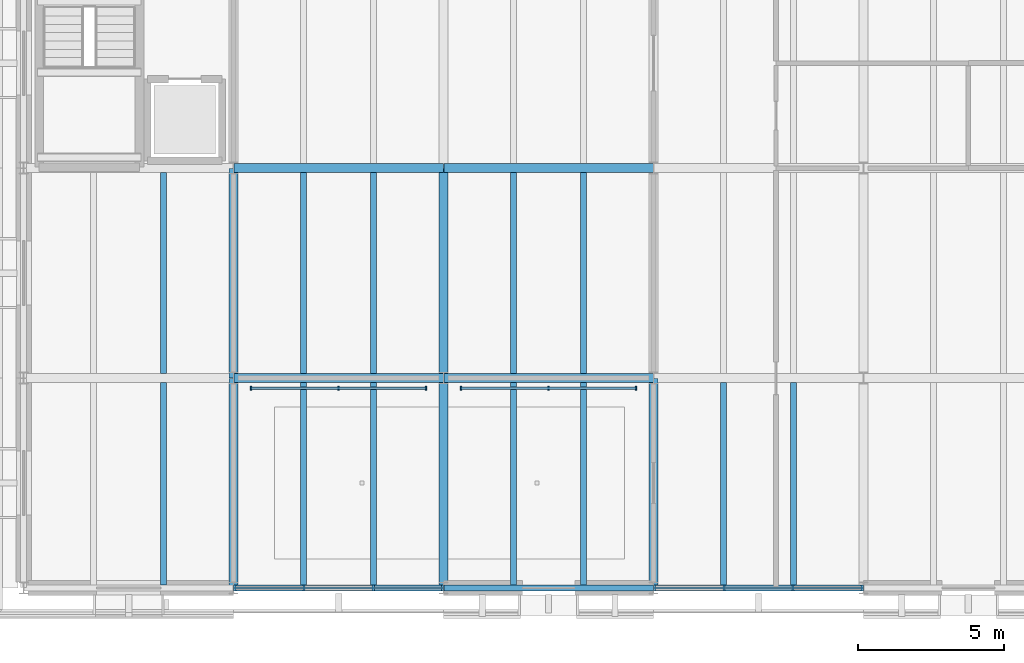
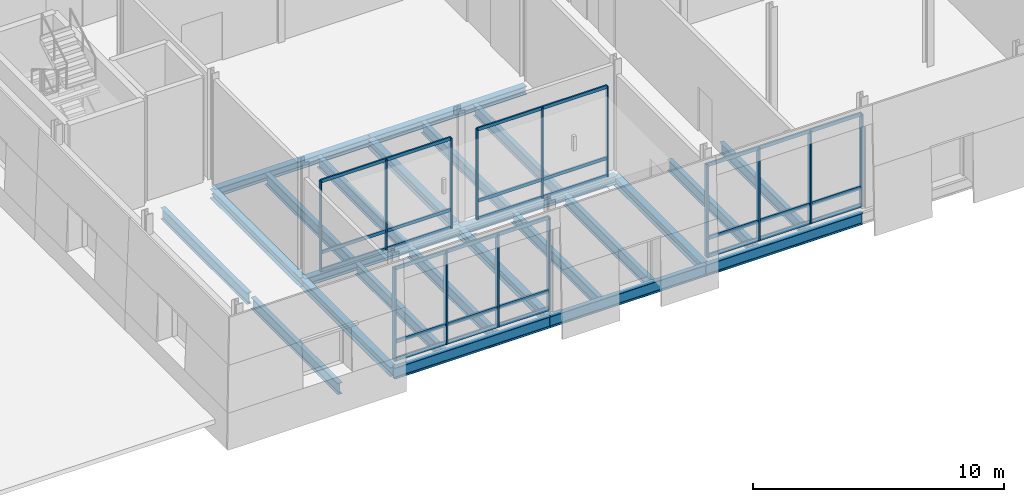
# One storey, part 38 of 120: 26 members, 24 beams, 4 elements without a shape of their own.
"""IFC4 building model written with IfcOpenShell, lengths in metres."""

from ifc_helpers import new_model, si_unit, direction, frame, origin, origin_2d, place, context, subcontext, project, spatial, rectangle, i_section, extrude, material, layer, layer_set, material_profile, profile_set, type_object, element, aggregate, save


model = new_model("IFC4")

# Units and contexts
model_context = context("Model", 3, precision=1e-05, world=origin(), true_north=direction((0.0, 1.0)))
body_context = subcontext(model_context, "Body", "Model", "MODEL_VIEW")
ifc_project = project(units=[si_unit("LENGTHUNIT", "METRE"), si_unit("AREAUNIT", "SQUARE_METRE"), si_unit("VOLUMEUNIT", "CUBIC_METRE"), si_unit("PLANEANGLEUNIT", "RADIAN"), si_unit("MASSUNIT", "GRAM", prefix="KILO")], contexts=[model_context])

# Site, building, storey
site_placement = place(None, origin())
site = spatial("IfcSite", under=ifc_project, at=site_placement, CompositionType="ELEMENT")
building_placement = place(site_placement, origin())
building = spatial("IfcBuilding", under=site, at=building_placement, Name="Narikvali Park Central Library", CompositionType="ELEMENT")
storey_placement = place(building_placement, origin())
storey = spatial("IfcBuildingStorey", under=building, at=storey_placement, Name="L00", CompositionType="ELEMENT", Elevation=0.0)

# Beams
ifc_material_1 = material(Name="Steel S355", Category="steel")
ifc_material_profile_1 = material_profile(ifc_material_1, i_section(OverallWidth=0.2099609375, OverallDepth=0.550048828125, WebThickness=0.010986328125, FlangeThickness=0.01708984375, FilletRadius=0.02392578125, at=origin_2d()), Name="IPE 550")
ifc_profile_set_1 = profile_set([ifc_material_profile_1], Name="Steel S355")
beam_type_1 = type_object("IfcBeamType", Name="Assembly Floor Joist IPE550", PredefinedType="JOIST", material=ifc_profile_set_1)
beam_1_placement = place(storey_placement, frame((127.199951171875, 0.10498046875, -0.594970703125), z_axis=(0.0, 1.0, 0.0), x_axis=(-1.0, 0.0, 0.0)))
element("IfcBeam", 1, at=beam_1_placement, inside=storey, type_object=beam_type_1, Name="V6 L00 Composite Joist 2", PredefinedType="JOIST", context=body_context, shape_type="SweptSolid", body=[
    extrude(i_section(OverallWidth=0.2099609375, OverallDepth=0.550048828125, WebThickness=0.010986328125, FlangeThickness=0.01708984375, FilletRadius=0.02392578125, at=origin_2d()), origin(), (0.0, 0.0, 1.0), 6.945068359375),
])
beam_2_placement = place(storey_placement, frame((127.199951171875, 7.35009765625, -0.594970703125), z_axis=(0.0, 1.0, 0.0), x_axis=(-1.0, 0.0, 0.0)))
element("IfcBeam", 2, at=beam_2_placement, inside=storey, type_object=beam_type_1, Name="V6 L00 Composite Joist 2", PredefinedType="JOIST", context=body_context, shape_type="SweptSolid", body=[
    extrude(i_section(OverallWidth=0.2099609375, OverallDepth=0.550048828125, WebThickness=0.010986328125, FlangeThickness=0.01708984375, FilletRadius=0.02392578125, at=origin_2d()), origin(), (0.0, 0.0, 1.0), 6.89990234375),
])
for number, where, z_axis, x_axis, name in (
    (3, (132.0, 0.10498046875, -0.594970703125), (0.0, 1.0, 0.0), (-1.0, 0.0, 0.0), "V6 L00 Composite Joist 1"),
    (4, (134.39990234375, 0.10498046875, -0.594970703125), (0.0, 1.0, 0.0), (-1.0, 0.0, 0.0), "V6 L00 Composite Joist 2"),
):
    element("IfcBeam", number, at=place(storey_placement, frame(where, z_axis=z_axis, x_axis=x_axis)), inside=storey, type_object=beam_type_1, Name=name, PredefinedType="JOIST", context=body_context, shape_type="SweptSolid", body=[
        extrude(i_section(OverallWidth=0.2099609375, OverallDepth=0.550048828125, WebThickness=0.010986328125, FlangeThickness=0.01708984375, FilletRadius=0.02392578125, at=origin_2d()), origin(), (0.0, 0.0, 1.0), 6.945068359375),
    ])
for number, where, z_axis, x_axis, name in (
    (5, (132.0, 7.35009765625, -0.594970703125), (0.0, 1.0, 0.0), (-1.0, 0.0, 0.0), "V6 L00 Composite Joist 1"),
    (6, (134.39990234375, 7.35009765625, -0.594970703125), (0.0, 1.0, 0.0), (-1.0, 0.0, 0.0), "V6 L00 Composite Joist 2"),
):
    element("IfcBeam", number, at=place(storey_placement, frame(where, z_axis=z_axis, x_axis=x_axis)), inside=storey, type_object=beam_type_1, Name=name, PredefinedType="JOIST", context=body_context, shape_type="SweptSolid", body=[
        extrude(i_section(OverallWidth=0.2099609375, OverallDepth=0.550048828125, WebThickness=0.010986328125, FlangeThickness=0.01708984375, FilletRadius=0.02392578125, at=origin_2d()), origin(), (0.0, 0.0, 1.0), 6.89990234375),
    ])
for number, where, z_axis, x_axis, name in (
    (7, (139.199951171875, 0.10498046875, -0.594970703125), (0.0, 1.0, 0.0), (-1.0, 0.0, 0.0), "V6 L00 Composite Joist 1"),
    (8, (141.60009765625, 0.10498046875, -0.594970703125), (0.0, 1.0, 0.0), (-1.0, 0.0, 0.0), "V6 L00 Composite Joist 2"),
):
    element("IfcBeam", number, at=place(storey_placement, frame(where, z_axis=z_axis, x_axis=x_axis)), inside=storey, type_object=beam_type_1, Name=name, PredefinedType="JOIST", context=body_context, shape_type="SweptSolid", body=[
        extrude(i_section(OverallWidth=0.2099609375, OverallDepth=0.550048828125, WebThickness=0.010986328125, FlangeThickness=0.01708984375, FilletRadius=0.02392578125, at=origin_2d()), origin(), (0.0, 0.0, 1.0), 6.945068359375),
    ])
for number, where, z_axis, x_axis, name in (
    (9, (139.199951171875, 7.35009765625, -0.594970703125), (0.0, 1.0, 0.0), (-1.0, 0.0, 0.0), "V6 L00 Composite Joist 1"),
    (10, (141.60009765625, 7.35009765625, -0.594970703125), (0.0, 1.0, 0.0), (-1.0, 0.0, 0.0), "V6 L00 Composite Joist 2"),
):
    element("IfcBeam", number, at=place(storey_placement, frame(where, z_axis=z_axis, x_axis=x_axis)), inside=storey, type_object=beam_type_1, Name=name, PredefinedType="JOIST", context=body_context, shape_type="SweptSolid", body=[
        extrude(i_section(OverallWidth=0.2099609375, OverallDepth=0.550048828125, WebThickness=0.010986328125, FlangeThickness=0.01708984375, FilletRadius=0.02392578125, at=origin_2d()), origin(), (0.0, 0.0, 1.0), 6.89990234375),
    ])
for number, where, z_axis, x_axis, name in (
    (11, (146.39990234375, 0.10498046875, -0.594970703125), (0.0, 1.0, 0.0), (-1.0, 0.0, 0.0), "V6 L00 Composite Joist 1"),
    (12, (148.800048828125, 0.10498046875, -0.594970703125), (0.0, 1.0, 0.0), (-1.0, 0.0, 0.0), "V6 L00 Composite Joist 2"),
):
    element("IfcBeam", number, at=place(storey_placement, frame(where, z_axis=z_axis, x_axis=x_axis)), inside=storey, type_object=beam_type_1, Name=name, PredefinedType="JOIST", context=body_context, shape_type="SweptSolid", body=[
        extrude(i_section(OverallWidth=0.2099609375, OverallDepth=0.550048828125, WebThickness=0.010986328125, FlangeThickness=0.01708984375, FilletRadius=0.02392578125, at=origin_2d()), origin(), (0.0, 0.0, 1.0), 6.945068359375),
    ])

# Curtain wall, members
ifc_material_2 = material(Name="Anodised Bronze Aluminium", Category="aluminium")
ifc_layer_1 = layer(ifc_material_2, 0.219970703125, Name="Anodised Bronze Aluminium")
ifc_layer_set_1 = layer_set([ifc_layer_1], Name="Anodised Bronze Aluminium")
curtain_wall_type_1 = type_object("IfcCurtainWallType", Name="Park Cafe Colonnade Glazing System", PredefinedType="NOTDEFINED", material=ifc_layer_set_1)
curtain_wall_1_placement = place(storey_placement, origin())
curtain_wall_1 = element("IfcCurtainWall", 13, at=curtain_wall_1_placement, inside=storey, type_object=curtain_wall_type_1, Name="Park Cafe Colonnade Glazing System CW-V6-L00-S-02", PredefinedType="NOTDEFINED")
ifc_material_profile_2 = material_profile(ifc_material_2, rectangle(XDim=0.074951171875, YDim=0.219970703125, at=origin_2d()), Name="CW MULLION 75x220")
ifc_profile_set_2 = profile_set([ifc_material_profile_2], Name="Anodised Bronze Aluminium")
member_type_1 = type_object("IfcMemberType", Name="Curtain Wall Heavy Mullion 75x220", PredefinedType="MULLION", material=ifc_profile_set_2)
member_1_placement = place(storey_placement, frame((129.637939453125, 0.0, -0.010009765625), z_axis=(0.0, 0.0, 1.0), x_axis=(1.0, 0.0, 0.0)))
member_1 = element("IfcMember", 14, at=member_1_placement, type_object=member_type_1, Name="CW-V6-L00-S-02 Mullion 00", PredefinedType="MULLION", context=body_context, shape_type="SweptSolid", body=[
    extrude(rectangle(XDim=0.074951171875, YDim=0.219970703125, at=origin_2d()), origin(), (0.0, 0.0, 1.0), 4.510009765625),
])
member_2_placement = place(storey_placement, frame((132.0126953125, 0.0, -0.010009765625), z_axis=(0.0, 0.0, 1.0), x_axis=(1.0, 0.0, 0.0)))
member_2 = element("IfcMember", 15, at=member_2_placement, type_object=member_type_1, Name="CW-V6-L00-S-02 Mullion 01", PredefinedType="MULLION", context=body_context, shape_type="SweptSolid", body=[
    extrude(rectangle(XDim=0.074951171875, YDim=0.219970703125, at=origin_2d()), origin(), (0.0, 0.0, 1.0), 4.510009765625),
])
member_3_placement = place(storey_placement, frame((134.38720703125, 0.0, -0.010009765625), z_axis=(0.0, 0.0, 1.0), x_axis=(1.0, 0.0, 0.0)))
member_3 = element("IfcMember", 16, at=member_3_placement, type_object=member_type_1, Name="CW-V6-L00-S-02 Mullion 02", PredefinedType="MULLION", context=body_context, shape_type="SweptSolid", body=[
    extrude(rectangle(XDim=0.074951171875, YDim=0.219970703125, at=origin_2d()), origin(), (0.0, 0.0, 1.0), 4.510009765625),
])
member_4_placement = place(storey_placement, frame((136.761962890625, 0.0, -0.010009765625), z_axis=(0.0, 0.0, 1.0), x_axis=(1.0, 0.0, 0.0)))
member_4 = element("IfcMember", 17, at=member_4_placement, type_object=member_type_1, Name="CW-V6-L00-S-02 Mullion 03", PredefinedType="MULLION", context=body_context, shape_type="SweptSolid", body=[
    extrude(rectangle(XDim=0.074951171875, YDim=0.219970703125, at=origin_2d()), origin(), (0.0, 0.0, 1.0), 4.510009765625),
])

curtain_wall_2_placement = place(storey_placement, origin())
curtain_wall_2 = element("IfcCurtainWall", 18, at=curtain_wall_2_placement, inside=storey, type_object=curtain_wall_type_1, Name="Park Cafe Colonnade Glazing System CW-V6-L00-S-04", PredefinedType="NOTDEFINED")
member_5_placement = place(storey_placement, frame((144.0380859375, 0.0, -0.010009765625), z_axis=(0.0, 0.0, 1.0), x_axis=(1.0, 0.0, 0.0)))
member_5 = element("IfcMember", 19, at=member_5_placement, type_object=member_type_1, Name="CW-V6-L00-S-04 Mullion 00", PredefinedType="MULLION", context=body_context, shape_type="SweptSolid", body=[
    extrude(rectangle(XDim=0.074951171875, YDim=0.219970703125, at=origin_2d()), origin(), (0.0, 0.0, 1.0), 4.510009765625),
])
member_6_placement = place(storey_placement, frame((146.41259765625, 0.0, -0.010009765625), z_axis=(0.0, 0.0, 1.0), x_axis=(1.0, 0.0, 0.0)))
member_6 = element("IfcMember", 20, at=member_6_placement, type_object=member_type_1, Name="CW-V6-L00-S-04 Mullion 01", PredefinedType="MULLION", context=body_context, shape_type="SweptSolid", body=[
    extrude(rectangle(XDim=0.074951171875, YDim=0.219970703125, at=origin_2d()), origin(), (0.0, 0.0, 1.0), 4.510009765625),
])
member_7_placement = place(storey_placement, frame((148.787353515625, 0.0, -0.010009765625), z_axis=(0.0, 0.0, 1.0), x_axis=(1.0, 0.0, 0.0)))
member_7 = element("IfcMember", 21, at=member_7_placement, type_object=member_type_1, Name="CW-V6-L00-S-04 Mullion 02", PredefinedType="MULLION", context=body_context, shape_type="SweptSolid", body=[
    extrude(rectangle(XDim=0.074951171875, YDim=0.219970703125, at=origin_2d()), origin(), (0.0, 0.0, 1.0), 4.510009765625),
])
member_8_placement = place(storey_placement, frame((151.162109375, 0.0, -0.010009765625), z_axis=(0.0, 0.0, 1.0), x_axis=(1.0, 0.0, 0.0)))
member_8 = element("IfcMember", 22, at=member_8_placement, type_object=member_type_1, Name="CW-V6-L00-S-04 Mullion 03", PredefinedType="MULLION", context=body_context, shape_type="SweptSolid", body=[
    extrude(rectangle(XDim=0.074951171875, YDim=0.219970703125, at=origin_2d()), origin(), (0.0, 0.0, 1.0), 4.510009765625),
])

# Member
ifc_material_profile_3 = material_profile(ifc_material_2, rectangle(XDim=0.074951171875, YDim=0.179931640625, at=origin_2d()), Name="CW TRANSOM 75x180")
ifc_profile_set_3 = profile_set([ifc_material_profile_3], Name="Anodised Bronze Aluminium")
member_type_2 = type_object("IfcMemberType", Name="Curtain Wall Heavy Transom 75x180", PredefinedType="USERDEFINED", material=ifc_profile_set_3)
member_9_placement = place(storey_placement, frame((129.637939453125, 0.0, 0.030029296875), z_axis=(1.0, 0.0, 0.0), x_axis=(0.0, 1.0, 0.0)))
member_9 = element("IfcMember", 23, at=member_9_placement, type_object=member_type_2, Name="CW-V6-L00-S-02 Transom 00", ObjectType="TRANSOM", PredefinedType="USERDEFINED", context=body_context, shape_type="SweptSolid", body=[
    extrude(rectangle(XDim=0.074951171875, YDim=0.179931640625, at=origin_2d()), origin(), (0.0, 0.0, 1.0), 7.1240234375),
])

member_10_placement = place(storey_placement, frame((129.637939453125, 0.0, 0.89990234375), z_axis=(1.0, 0.0, 0.0), x_axis=(0.0, 1.0, 0.0)))
member_10 = element("IfcMember", 24, at=member_10_placement, type_object=member_type_2, Name="CW-V6-L00-S-02 Transom 01", ObjectType="TRANSOM", PredefinedType="USERDEFINED", context=body_context, shape_type="SweptSolid", body=[
    extrude(rectangle(XDim=0.074951171875, YDim=0.179931640625, at=origin_2d()), origin(), (0.0, 0.0, 1.0), 7.1240234375),
])

member_11_placement = place(storey_placement, frame((129.637939453125, 0.0, 4.469970703125), z_axis=(1.0, 0.0, 0.0), x_axis=(0.0, 1.0, 0.0)))
member_11 = element("IfcMember", 25, at=member_11_placement, type_object=member_type_2, Name="CW-V6-L00-S-02 Transom 02", ObjectType="TRANSOM", PredefinedType="USERDEFINED", context=body_context, shape_type="SweptSolid", body=[
    extrude(rectangle(XDim=0.074951171875, YDim=0.179931640625, at=origin_2d()), origin(), (0.0, 0.0, 1.0), 7.1240234375),
])

aggregate(curtain_wall_1, [member_1, member_2, member_3, member_4, member_9, member_10, member_11])

member_12_placement = place(storey_placement, frame((144.0380859375, 0.0, 0.030029296875), z_axis=(1.0, 0.0, 0.0), x_axis=(0.0, 1.0, 0.0)))
member_12 = element("IfcMember", 26, at=member_12_placement, type_object=member_type_2, Name="CW-V6-L00-S-04 Transom 00", ObjectType="TRANSOM", PredefinedType="USERDEFINED", context=body_context, shape_type="SweptSolid", body=[
    extrude(rectangle(XDim=0.074951171875, YDim=0.179931640625, at=origin_2d()), origin(), (0.0, 0.0, 1.0), 7.1240234375),
])

member_13_placement = place(storey_placement, frame((144.0380859375, 0.0, 0.89990234375), z_axis=(1.0, 0.0, 0.0), x_axis=(0.0, 1.0, 0.0)))
member_13 = element("IfcMember", 27, at=member_13_placement, type_object=member_type_2, Name="CW-V6-L00-S-04 Transom 01", ObjectType="TRANSOM", PredefinedType="USERDEFINED", context=body_context, shape_type="SweptSolid", body=[
    extrude(rectangle(XDim=0.074951171875, YDim=0.179931640625, at=origin_2d()), origin(), (0.0, 0.0, 1.0), 7.1240234375),
])

member_14_placement = place(storey_placement, frame((144.0380859375, 0.0, 4.469970703125), z_axis=(1.0, 0.0, 0.0), x_axis=(0.0, 1.0, 0.0)))
member_14 = element("IfcMember", 28, at=member_14_placement, type_object=member_type_2, Name="CW-V6-L00-S-04 Transom 02", ObjectType="TRANSOM", PredefinedType="USERDEFINED", context=body_context, shape_type="SweptSolid", body=[
    extrude(rectangle(XDim=0.074951171875, YDim=0.179931640625, at=origin_2d()), origin(), (0.0, 0.0, 1.0), 7.1240234375),
])

aggregate(curtain_wall_2, [member_5, member_6, member_7, member_8, member_12, member_13, member_14])

# Curtain wall, members
ifc_layer_2 = layer(ifc_material_2, 0.219970703125, Name="Anodised Bronze Aluminium")
ifc_layer_set_2 = layer_set([ifc_layer_2], Name="Anodised Bronze Aluminium")
curtain_wall_type_2 = type_object("IfcCurtainWallType", Name="Atrium Tall Curtain Wall System", PredefinedType="NOTDEFINED", material=ifc_layer_set_2)
curtain_wall_3_placement = place(storey_placement, origin())
curtain_wall_3 = element("IfcCurtainWall", 29, at=curtain_wall_3_placement, inside=storey, type_object=curtain_wall_type_2, Name="Atrium Tall Curtain Wall System CW-GAL-V6-L00-GAL-S1", PredefinedType="NOTDEFINED")
ifc_material_profile_4 = material_profile(ifc_material_2, rectangle(XDim=0.06005859375, YDim=0.14990234375, at=origin_2d()), Name="CW MULLION 60x150")
ifc_profile_set_4 = profile_set([ifc_material_profile_4], Name="Anodised Bronze Aluminium")
member_type_3 = type_object("IfcMemberType", Name="Curtain Wall Mullion 60x150", PredefinedType="MULLION", material=ifc_profile_set_4)
member_15_placement = place(storey_placement, frame((130.199951171875, 6.85009765625, -0.010009765625), z_axis=(0.0, 0.0, 1.0), x_axis=(1.0, 0.0, 0.0)))
member_15 = element("IfcMember", 30, at=member_15_placement, type_object=member_type_3, Name="CW-GAL-V6-L00-GAL-S1 Mullion 00", PredefinedType="MULLION", context=body_context, shape_type="SweptSolid", body=[
    extrude(rectangle(XDim=0.06005859375, YDim=0.14990234375, at=origin_2d()), origin(), (0.0, 0.0, 1.0), 4.409912109375),
])
member_16_placement = place(storey_placement, frame((133.199951171875, 6.85009765625, -0.010009765625), z_axis=(0.0, 0.0, 1.0), x_axis=(1.0, 0.0, 0.0)))
member_16 = element("IfcMember", 31, at=member_16_placement, type_object=member_type_3, Name="CW-GAL-V6-L00-GAL-S1 Mullion 01", PredefinedType="MULLION", context=body_context, shape_type="SweptSolid", body=[
    extrude(rectangle(XDim=0.06005859375, YDim=0.14990234375, at=origin_2d()), origin(), (0.0, 0.0, 1.0), 4.409912109375),
])
member_17_placement = place(storey_placement, frame((136.199951171875, 6.85009765625, -0.010009765625), z_axis=(0.0, 0.0, 1.0), x_axis=(1.0, 0.0, 0.0)))
member_17 = element("IfcMember", 32, at=member_17_placement, type_object=member_type_3, Name="CW-GAL-V6-L00-GAL-S1 Mullion 02", PredefinedType="MULLION", context=body_context, shape_type="SweptSolid", body=[
    extrude(rectangle(XDim=0.06005859375, YDim=0.14990234375, at=origin_2d()), origin(), (0.0, 0.0, 1.0), 4.409912109375),
])

curtain_wall_4_placement = place(storey_placement, origin())
curtain_wall_4 = element("IfcCurtainWall", 33, at=curtain_wall_4_placement, inside=storey, type_object=curtain_wall_type_2, Name="Atrium Tall Curtain Wall System CW-GAL-V6-L00-GAL-S2", PredefinedType="NOTDEFINED")
member_18_placement = place(storey_placement, frame((137.39990234375, 6.85009765625, -0.010009765625), z_axis=(0.0, 0.0, 1.0), x_axis=(1.0, 0.0, 0.0)))
member_18 = element("IfcMember", 34, at=member_18_placement, type_object=member_type_3, Name="CW-GAL-V6-L00-GAL-S2 Mullion 00", PredefinedType="MULLION", context=body_context, shape_type="SweptSolid", body=[
    extrude(rectangle(XDim=0.06005859375, YDim=0.14990234375, at=origin_2d()), origin(), (0.0, 0.0, 1.0), 4.409912109375),
])
member_19_placement = place(storey_placement, frame((140.39990234375, 6.85009765625, -0.010009765625), z_axis=(0.0, 0.0, 1.0), x_axis=(1.0, 0.0, 0.0)))
member_19 = element("IfcMember", 35, at=member_19_placement, type_object=member_type_3, Name="CW-GAL-V6-L00-GAL-S2 Mullion 01", PredefinedType="MULLION", context=body_context, shape_type="SweptSolid", body=[
    extrude(rectangle(XDim=0.06005859375, YDim=0.14990234375, at=origin_2d()), origin(), (0.0, 0.0, 1.0), 4.409912109375),
])
member_20_placement = place(storey_placement, frame((143.39990234375, 6.85009765625, -0.010009765625), z_axis=(0.0, 0.0, 1.0), x_axis=(1.0, 0.0, 0.0)))
member_20 = element("IfcMember", 36, at=member_20_placement, type_object=member_type_3, Name="CW-GAL-V6-L00-GAL-S2 Mullion 02", PredefinedType="MULLION", context=body_context, shape_type="SweptSolid", body=[
    extrude(rectangle(XDim=0.06005859375, YDim=0.14990234375, at=origin_2d()), origin(), (0.0, 0.0, 1.0), 4.409912109375),
])

# Member
ifc_material_profile_5 = material_profile(ifc_material_2, rectangle(XDim=0.070068359375, YDim=0.159912109375, at=origin_2d()), Name="CW TRANSOM 70x160")
ifc_profile_set_5 = profile_set([ifc_material_profile_5], Name="Anodised Bronze Aluminium")
member_type_4 = type_object("IfcMemberType", Name="Curtain Wall Transom 70x160", PredefinedType="USERDEFINED", material=ifc_profile_set_5)
member_21_placement = place(storey_placement, frame((130.199951171875, 6.85009765625, 0.030029296875), z_axis=(1.0, 0.0, 0.0), x_axis=(0.0, 1.0, 0.0)))
member_21 = element("IfcMember", 37, at=member_21_placement, type_object=member_type_4, Name="CW-GAL-V6-L00-GAL-S1 Transom 00", ObjectType="TRANSOM", PredefinedType="USERDEFINED", context=body_context, shape_type="SweptSolid", body=[
    extrude(rectangle(XDim=0.070068359375, YDim=0.159912109375, at=origin_2d()), origin(), (0.0, 0.0, 1.0), 6.0),
])

member_22_placement = place(storey_placement, frame((130.199951171875, 6.85009765625, 0.89990234375), z_axis=(1.0, 0.0, 0.0), x_axis=(0.0, 1.0, 0.0)))
member_22 = element("IfcMember", 38, at=member_22_placement, type_object=member_type_4, Name="CW-GAL-V6-L00-GAL-S1 Transom 01", ObjectType="TRANSOM", PredefinedType="USERDEFINED", context=body_context, shape_type="SweptSolid", body=[
    extrude(rectangle(XDim=0.070068359375, YDim=0.159912109375, at=origin_2d()), origin(), (0.0, 0.0, 1.0), 6.0),
])

member_23_placement = place(storey_placement, frame((130.199951171875, 6.85009765625, 4.3701171875), z_axis=(1.0, 0.0, 0.0), x_axis=(0.0, 1.0, 0.0)))
member_23 = element("IfcMember", 39, at=member_23_placement, type_object=member_type_4, Name="CW-GAL-V6-L00-GAL-S1 Transom 02", ObjectType="TRANSOM", PredefinedType="USERDEFINED", context=body_context, shape_type="SweptSolid", body=[
    extrude(rectangle(XDim=0.070068359375, YDim=0.159912109375, at=origin_2d()), origin(), (0.0, 0.0, 1.0), 6.0),
])

aggregate(curtain_wall_3, [member_15, member_16, member_17, member_21, member_22, member_23])

member_24_placement = place(storey_placement, frame((137.39990234375, 6.85009765625, 0.030029296875), z_axis=(1.0, 0.0, 0.0), x_axis=(0.0, 1.0, 0.0)))
member_24 = element("IfcMember", 40, at=member_24_placement, type_object=member_type_4, Name="CW-GAL-V6-L00-GAL-S2 Transom 00", ObjectType="TRANSOM", PredefinedType="USERDEFINED", context=body_context, shape_type="SweptSolid", body=[
    extrude(rectangle(XDim=0.070068359375, YDim=0.159912109375, at=origin_2d()), origin(), (0.0, 0.0, 1.0), 6.0),
])

member_25_placement = place(storey_placement, frame((137.39990234375, 6.85009765625, 0.89990234375), z_axis=(1.0, 0.0, 0.0), x_axis=(0.0, 1.0, 0.0)))
member_25 = element("IfcMember", 41, at=member_25_placement, type_object=member_type_4, Name="CW-GAL-V6-L00-GAL-S2 Transom 01", ObjectType="TRANSOM", PredefinedType="USERDEFINED", context=body_context, shape_type="SweptSolid", body=[
    extrude(rectangle(XDim=0.070068359375, YDim=0.159912109375, at=origin_2d()), origin(), (0.0, 0.0, 1.0), 6.0),
])

member_26_placement = place(storey_placement, frame((137.39990234375, 6.85009765625, 4.3701171875), z_axis=(1.0, 0.0, 0.0), x_axis=(0.0, 1.0, 0.0)))
member_26 = element("IfcMember", 42, at=member_26_placement, type_object=member_type_4, Name="CW-GAL-V6-L00-GAL-S2 Transom 02", ObjectType="TRANSOM", PredefinedType="USERDEFINED", context=body_context, shape_type="SweptSolid", body=[
    extrude(rectangle(XDim=0.070068359375, YDim=0.159912109375, at=origin_2d()), origin(), (0.0, 0.0, 1.0), 6.0),
])

aggregate(curtain_wall_4, [member_18, member_19, member_20, member_24, member_25, member_26])

# Beams
ifc_material_profile_6 = material_profile(ifc_material_1, i_section(OverallWidth=0.300048828125, OverallDepth=0.39990234375, WebThickness=0.013427734375, FlangeThickness=0.02392578125, FilletRadius=0.027099609375, at=origin_2d()), Name="HEB 400")
ifc_profile_set_6 = profile_set([ifc_material_profile_6], Name="Steel S355")
beam_type_2 = type_object("IfcBeamType", Name="Gallery Framing Girder HEB400", PredefinedType="BEAM", material=ifc_profile_set_6)
beam_3_placement = place(storey_placement, frame((129.60791015625, 7.199951171875, -0.52001953125), z_axis=(1.0, 0.0, 0.0), x_axis=(0.0, 1.0, 0.0)))
element("IfcBeam", 43, at=beam_3_placement, inside=storey, type_object=beam_type_2, Name="V6 L00 Girder X", PredefinedType="BEAM", context=body_context, shape_type="SweptSolid", body=[
    extrude(i_section(OverallWidth=0.300048828125, OverallDepth=0.39990234375, WebThickness=0.013427734375, FlangeThickness=0.02392578125, FilletRadius=0.027099609375, at=origin_2d()), origin(), (0.0, 0.0, 1.0), 7.18408203125),
])
beam_4_placement = place(storey_placement, frame((136.80810546875, 7.199951171875, -0.52001953125), z_axis=(1.0, 0.0, 0.0), x_axis=(0.0, 1.0, 0.0)))
element("IfcBeam", 44, at=beam_4_placement, inside=storey, type_object=beam_type_2, Name="V6 L00 Girder X", PredefinedType="BEAM", context=body_context, shape_type="SweptSolid", body=[
    extrude(i_section(OverallWidth=0.300048828125, OverallDepth=0.39990234375, WebThickness=0.013427734375, FlangeThickness=0.02392578125, FilletRadius=0.027099609375, at=origin_2d()), origin(), (0.0, 0.0, 1.0), 7.183837890625),
])
beam_5_placement = place(storey_placement, frame((129.60791015625, 14.39990234375, -0.52001953125), z_axis=(1.0, 0.0, 0.0), x_axis=(0.0, 1.0, 0.0)))
element("IfcBeam", 45, at=beam_5_placement, inside=storey, type_object=beam_type_2, Name="V6 L00 Girder X", PredefinedType="BEAM", context=body_context, shape_type="SweptSolid", body=[
    extrude(i_section(OverallWidth=0.300048828125, OverallDepth=0.39990234375, WebThickness=0.013427734375, FlangeThickness=0.02392578125, FilletRadius=0.027099609375, at=origin_2d()), origin(), (0.0, 0.0, 1.0), 7.18408203125),
])
beam_6_placement = place(storey_placement, frame((136.80810546875, 14.39990234375, -0.52001953125), z_axis=(1.0, 0.0, 0.0), x_axis=(0.0, 1.0, 0.0)))
element("IfcBeam", 46, at=beam_6_placement, inside=storey, type_object=beam_type_2, Name="V6 L00 Girder X", PredefinedType="BEAM", context=body_context, shape_type="SweptSolid", body=[
    extrude(i_section(OverallWidth=0.300048828125, OverallDepth=0.39990234375, WebThickness=0.013427734375, FlangeThickness=0.02392578125, FilletRadius=0.027099609375, at=origin_2d()), origin(), (0.0, 0.0, 1.0), 7.183837890625),
])
ifc_material_profile_7 = material_profile(ifc_material_1, i_section(OverallWidth=0.2099609375, OverallDepth=0.550048828125, WebThickness=0.010986328125, FlangeThickness=0.01708984375, FilletRadius=0.02392578125, at=origin_2d()), Name="IPE 550")
ifc_profile_set_7 = profile_set([ifc_material_profile_7], Name="Steel S355")
beam_type_3 = type_object("IfcBeamType", Name="Perimeter Spandrel IPE550", PredefinedType="SPANDREL", material=ifc_profile_set_7)
beam_7_placement = place(storey_placement, frame((129.60791015625, 0.0, -0.594970703125), z_axis=(1.0, 0.0, 0.0), x_axis=(0.0, 1.0, 0.0)))
element("IfcBeam", 47, at=beam_7_placement, inside=storey, type_object=beam_type_3, Name="V6 L00 Girder X", PredefinedType="SPANDREL", context=body_context, shape_type="SweptSolid", body=[
    extrude(i_section(OverallWidth=0.2099609375, OverallDepth=0.550048828125, WebThickness=0.010986328125, FlangeThickness=0.01708984375, FilletRadius=0.02392578125, at=origin_2d()), origin(), (0.0, 0.0, 1.0), 7.18408203125),
])
for number, where, z_axis, x_axis, name in (
    (48, (136.80810546875, 0.0, -0.594970703125), (1.0, 0.0, 0.0), (0.0, 1.0, 0.0), "V6 L00 Girder X"),
    (49, (144.008056640625, 0.0, -0.594970703125), (1.0, 0.0, 0.0), (0.0, 1.0, 0.0), "V6 L00 Girder X"),
):
    element("IfcBeam", number, at=place(storey_placement, frame(where, z_axis=z_axis, x_axis=x_axis)), inside=storey, type_object=beam_type_3, Name=name, PredefinedType="SPANDREL", context=body_context, shape_type="SweptSolid", body=[
        extrude(i_section(OverallWidth=0.2099609375, OverallDepth=0.550048828125, WebThickness=0.010986328125, FlangeThickness=0.01708984375, FilletRadius=0.02392578125, at=origin_2d()), origin(), (0.0, 0.0, 1.0), 7.183837890625),
    ])
ifc_material_profile_8 = material_profile(ifc_material_1, i_section(OverallWidth=0.300048828125, OverallDepth=0.43994140625, WebThickness=0.011474609375, FlangeThickness=0.02099609375, FilletRadius=0.027099609375, at=origin_2d()), Name="HEA 450")
ifc_profile_set_8 = profile_set([ifc_material_profile_8], Name="Steel S355")
beam_type_4 = type_object("IfcBeamType", Name="Primary Girder HEA450", PredefinedType="BEAM", material=ifc_profile_set_8)
beam_8_placement = place(storey_placement, frame((129.60009765625, 0.008056640625, -0.5400390625), z_axis=(0.0, 1.0, 0.0), x_axis=(-1.0, 0.0, 0.0)))
element("IfcBeam", 50, at=beam_8_placement, inside=storey, type_object=beam_type_4, Name="V6 L00 Girder Y", PredefinedType="BEAM", context=body_context, shape_type="SweptSolid", body=[
    extrude(i_section(OverallWidth=0.300048828125, OverallDepth=0.43994140625, WebThickness=0.011474609375, FlangeThickness=0.02099609375, FilletRadius=0.027099609375, at=origin_2d()), origin(), (0.0, 0.0, 1.0), 7.183837890625),
])
beam_9_placement = place(storey_placement, frame((129.60009765625, 7.2080078125, -0.5400390625), z_axis=(0.0, 1.0, 0.0), x_axis=(-1.0, 0.0, 0.0)))
element("IfcBeam", 51, at=beam_9_placement, inside=storey, type_object=beam_type_4, Name="V6 L00 Girder Y", PredefinedType="BEAM", context=body_context, shape_type="SweptSolid", body=[
    extrude(i_section(OverallWidth=0.300048828125, OverallDepth=0.43994140625, WebThickness=0.011474609375, FlangeThickness=0.02099609375, FilletRadius=0.027099609375, at=origin_2d()), origin(), (0.0, 0.0, 1.0), 7.18408203125),
])
beam_10_placement = place(storey_placement, frame((136.800048828125, 0.008056640625, -0.5400390625), z_axis=(0.0, 1.0, 0.0), x_axis=(-1.0, 0.0, 0.0)))
element("IfcBeam", 52, at=beam_10_placement, inside=storey, type_object=beam_type_4, Name="V6 L00 Girder Y", PredefinedType="BEAM", context=body_context, shape_type="SweptSolid", body=[
    extrude(i_section(OverallWidth=0.300048828125, OverallDepth=0.43994140625, WebThickness=0.011474609375, FlangeThickness=0.02099609375, FilletRadius=0.027099609375, at=origin_2d()), origin(), (0.0, 0.0, 1.0), 7.183837890625),
])
beam_11_placement = place(storey_placement, frame((136.800048828125, 7.2080078125, -0.5400390625), z_axis=(0.0, 1.0, 0.0), x_axis=(-1.0, 0.0, 0.0)))
element("IfcBeam", 53, at=beam_11_placement, inside=storey, type_object=beam_type_4, Name="V6 L00 Girder Y", PredefinedType="BEAM", context=body_context, shape_type="SweptSolid", body=[
    extrude(i_section(OverallWidth=0.300048828125, OverallDepth=0.43994140625, WebThickness=0.011474609375, FlangeThickness=0.02099609375, FilletRadius=0.027099609375, at=origin_2d()), origin(), (0.0, 0.0, 1.0), 7.18408203125),
])
beam_12_placement = place(storey_placement, frame((144.0, 0.008056640625, -0.5400390625), z_axis=(0.0, 1.0, 0.0), x_axis=(-1.0, 0.0, 0.0)))
element("IfcBeam", 54, at=beam_12_placement, inside=storey, type_object=beam_type_4, Name="V6 L00 Girder Y", PredefinedType="BEAM", context=body_context, shape_type="SweptSolid", body=[
    extrude(i_section(OverallWidth=0.300048828125, OverallDepth=0.43994140625, WebThickness=0.011474609375, FlangeThickness=0.02099609375, FilletRadius=0.027099609375, at=origin_2d()), origin(), (0.0, 0.0, 1.0), 7.183837890625),
])

save(model, "model.ifc")
